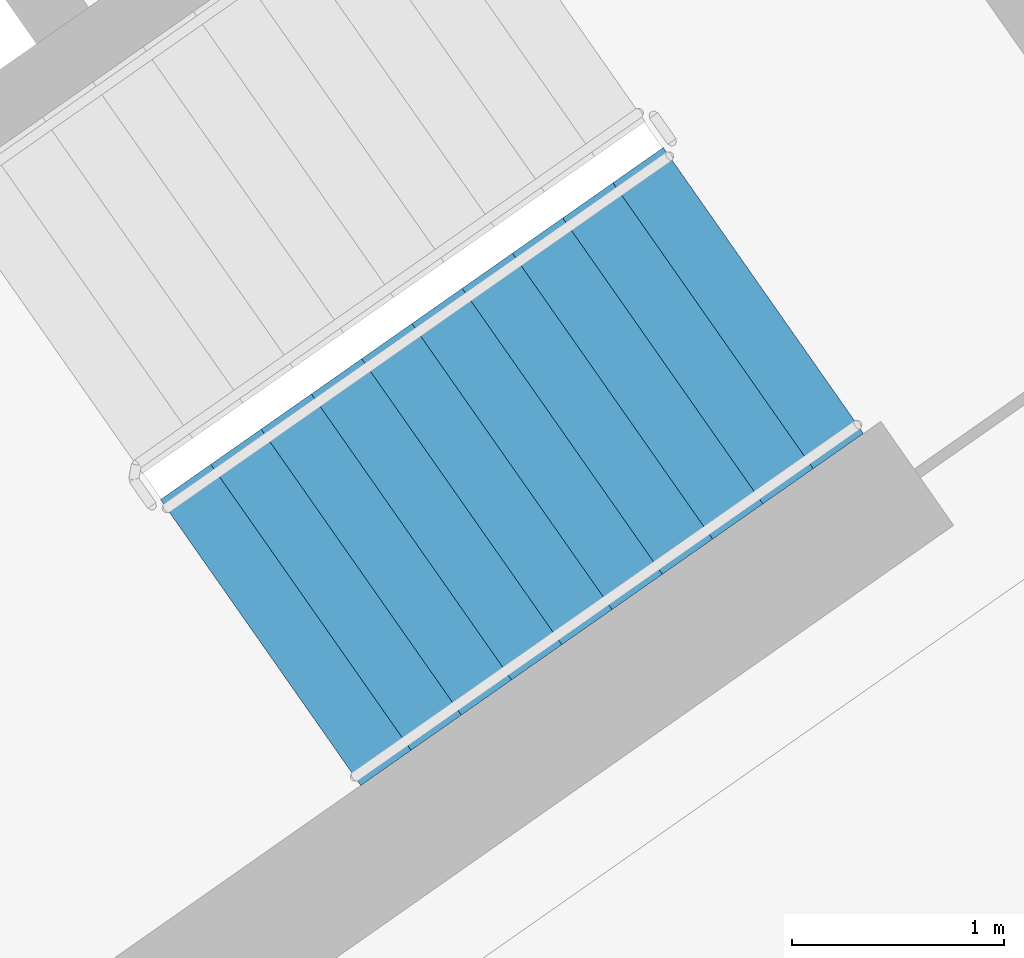
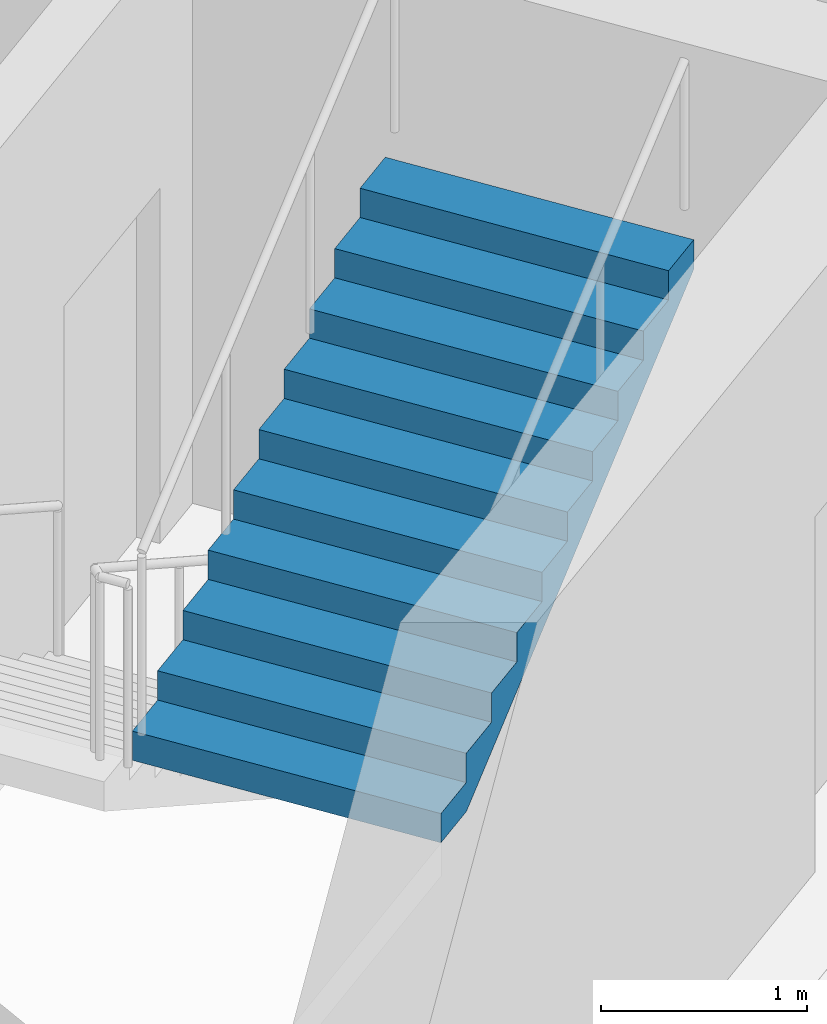
# One storey, part 16 of 28: 1 stair flight, 1 element without a shape of its own.
"""IFC4 building model written with IfcOpenShell, lengths in metres."""

from ifc_helpers import new_model, si_unit, direction, frame, origin, place, context, subcontext, project, spatial, faceted_brep, material, type_object, element, aggregate, save


model = new_model("IFC4")

# Units and contexts
model_context = context("Model", 3, precision=1e-05, world=origin(), true_north=direction((0.0, 1.0)))
body_context = subcontext(model_context, "Body", "Model", "MODEL_VIEW")
ifc_project = project(units=[si_unit("LENGTHUNIT", "METRE"), si_unit("AREAUNIT", "SQUARE_METRE"), si_unit("VOLUMEUNIT", "CUBIC_METRE"), si_unit("PLANEANGLEUNIT", "RADIAN"), si_unit("MASSUNIT", "GRAM", prefix="KILO")], contexts=[model_context])

# Site, building, storey
site_placement = place(None, origin())
site = spatial("IfcSite", under=ifc_project, at=site_placement, CompositionType="ELEMENT")
building_placement = place(site_placement, origin())
building = spatial("IfcBuilding", under=site, at=building_placement, Name="Qamariyya Broadcast Tower", CompositionType="ELEMENT")
storey_placement = place(building_placement, frame((0.0, 0.0, 245.5)))
storey = spatial("IfcBuildingStorey", under=building, at=storey_placement, Name="L59", CompositionType="ELEMENT", Elevation=245.5)

# Stair, stair flight
ifc_material = material(Name="Concrete C50/60", Category="concrete")
stair_type = type_object("IfcStairType", Name="Exit stair 22 risers of 173 mm", PredefinedType="HALF_TURN_STAIR", material=ifc_material)
stair_placement = place(storey_placement, origin())
stair = element("IfcStair", 1, at=stair_placement, inside=storey, type_object=stair_type, Name="L59 Stair E1", PredefinedType="HALF_TURN_STAIR")
stair_flight_type = type_object("IfcStairFlightType", Name="Exit stair flight 11 risers of 173 mm", PredefinedType="STRAIGHT", material=ifc_material)
stair_flight_placement = place(storey_placement, frame((44.693359375, -58.64599609375, 1.89990234375), z_axis=(0.0, 0.0, 1.0), x_axis=(0.819152044289, 0.573576436351, 0.0)))
stair_flight = element("IfcStairFlight", 2, at=stair_flight_placement, type_object=stair_flight_type, Name="ST-E1 flight 2", NumberOfRisers=11, NumberOfTreads=10, PredefinedType="STRAIGHT", RiserHeight=0.172727273, TreadLength=0.29, context=body_context, shape_type="Brep", body=[
    faceted_brep([(0.0, 0.824951171875, 0.0), (0.0, 0.824951171875, 0.172607421875), (0.2900390625, 0.824951171875, 0.172607421875), (0.2900390625, 0.824951171875, 0.345458984375), (0.580078125, 0.824951171875, 0.345458984375), (0.580078125, 0.824951171875, 0.51806640625), (0.8701171875, 0.824951171875, 0.51806640625), (0.8701171875, 0.824951171875, 0.69091796875), (1.159912109375, 0.824951171875, 0.69091796875), (1.159912109375, 0.824951171875, 0.863525390625), (1.449951171875, 0.824951171875, 0.863525390625), (1.449951171875, 0.824951171875, 1.036376953125), (1.739990234375, 0.824951171875, 1.036376953125), (1.739990234375, 0.824951171875, 1.208984375), (2.030029296875, 0.824951171875, 1.208984375), (2.030029296875, 0.824951171875, 1.3818359375), (2.320068359375, 0.824951171875, 1.3818359375), (2.320068359375, 0.824951171875, 1.554443359375), (2.610107421875, 0.824951171875, 1.554443359375), (2.610107421875, 0.824951171875, 1.727294921875), (2.89990234375, 0.824951171875, 1.727294921875), (2.89990234375, 0.824951171875, 1.552734375), (0.29296875, 0.824951171875, 0.0), (0.29296875, -0.824951171875, 0.0), (2.89990234375, -0.824951171875, 1.552734375), (2.89990234375, -0.824951171875, 1.727294921875), (2.610107421875, -0.824951171875, 1.727294921875), (2.610107421875, -0.824951171875, 1.554443359375), (2.320068359375, -0.824951171875, 1.554443359375), (2.320068359375, -0.824951171875, 1.3818359375), (2.030029296875, -0.824951171875, 1.3818359375), (2.030029296875, -0.824951171875, 1.208984375), (1.739990234375, -0.824951171875, 1.208984375), (1.739990234375, -0.824951171875, 1.036376953125), (1.449951171875, -0.824951171875, 1.036376953125), (1.449951171875, -0.824951171875, 0.863525390625), (1.159912109375, -0.824951171875, 0.863525390625), (1.159912109375, -0.824951171875, 0.69091796875), (0.8701171875, -0.824951171875, 0.69091796875), (0.8701171875, -0.824951171875, 0.51806640625), (0.580078125, -0.824951171875, 0.51806640625), (0.580078125, -0.824951171875, 0.345458984375), (0.2900390625, -0.824951171875, 0.345458984375), (0.2900390625, -0.824951171875, 0.172607421875), (0.0, -0.824951171875, 0.172607421875), (0.0, -0.824951171875, 0.0), (0.0, 0.10009765625, 0.0), (0.0, 0.086669921875, 0.0), (0.0, 0.0732421875, 0.0), (0.0, 0.06005859375, 0.0), (0.0, 0.046630859375, 0.0), (0.0, 0.033447265625, 0.0), (0.0, 0.02001953125, 0.0), (0.0, 0.006591796875, 0.0), (0.0, -0.006591796875, 0.0), (0.0, -0.02001953125, 0.0), (0.0, -0.033447265625, 0.0), (0.0, -0.046630859375, 0.0), (0.0, -0.06005859375, 0.0), (0.0, -0.0732421875, 0.0), (0.0, -0.086669921875, 0.0), (0.0, -0.10009765625, 0.0), (0.0, -0.10009765625, 0.172607421875), (0.0, -0.086669921875, 0.172607421875), (0.0, -0.0732421875, 0.172607421875), (0.0, -0.06005859375, 0.172607421875), (0.0, -0.046630859375, 0.172607421875), (0.0, -0.033447265625, 0.172607421875), (0.0, -0.02001953125, 0.172607421875), (0.0, -0.006591796875, 0.172607421875), (0.0, 0.006591796875, 0.172607421875), (0.0, 0.02001953125, 0.172607421875), (0.0, 0.033447265625, 0.172607421875), (0.0, 0.046630859375, 0.172607421875), (0.0, 0.06005859375, 0.172607421875), (0.0, 0.0732421875, 0.172607421875), (0.0, 0.086669921875, 0.172607421875), (0.0, 0.10009765625, 0.172607421875), (0.2900390625, -0.10009765625, 0.172607421875), (0.2900390625, -0.086669921875, 0.172607421875), (0.2900390625, -0.0732421875, 0.172607421875), (0.2900390625, -0.06005859375, 0.172607421875), (0.2900390625, -0.046630859375, 0.172607421875), (0.2900390625, -0.033447265625, 0.172607421875), (0.2900390625, -0.02001953125, 0.172607421875), (0.2900390625, -0.006591796875, 0.172607421875), (0.2900390625, 0.006591796875, 0.172607421875), (0.2900390625, 0.02001953125, 0.172607421875), (0.2900390625, 0.033447265625, 0.172607421875), (0.2900390625, 0.046630859375, 0.172607421875), (0.2900390625, 0.06005859375, 0.172607421875), (0.2900390625, 0.0732421875, 0.172607421875), (0.2900390625, 0.086669921875, 0.172607421875), (0.2900390625, 0.10009765625, 0.172607421875), (0.2900390625, -0.10009765625, 0.345458984375), (0.2900390625, -0.086669921875, 0.345458984375), (0.2900390625, -0.0732421875, 0.345458984375), (0.2900390625, -0.06005859375, 0.345458984375), (0.2900390625, -0.046630859375, 0.345458984375), (0.2900390625, -0.033447265625, 0.345458984375), (0.2900390625, -0.02001953125, 0.345458984375), (0.2900390625, -0.006591796875, 0.345458984375), (0.2900390625, 0.006591796875, 0.345458984375), (0.2900390625, 0.02001953125, 0.345458984375), (0.2900390625, 0.033447265625, 0.345458984375), (0.2900390625, 0.046630859375, 0.345458984375), (0.2900390625, 0.06005859375, 0.345458984375), (0.2900390625, 0.0732421875, 0.345458984375), (0.2900390625, 0.086669921875, 0.345458984375), (0.2900390625, 0.10009765625, 0.345458984375), (0.580078125, -0.10009765625, 0.345458984375), (0.580078125, -0.086669921875, 0.345458984375), (0.580078125, -0.0732421875, 0.345458984375), (0.580078125, -0.06005859375, 0.345458984375), (0.580078125, -0.046630859375, 0.345458984375), (0.580078125, -0.033447265625, 0.345458984375), (0.580078125, -0.02001953125, 0.345458984375), (0.580078125, -0.006591796875, 0.345458984375), (0.580078125, 0.006591796875, 0.345458984375), (0.580078125, 0.02001953125, 0.345458984375), (0.580078125, 0.033447265625, 0.345458984375), (0.580078125, 0.046630859375, 0.345458984375), (0.580078125, 0.06005859375, 0.345458984375), (0.580078125, 0.0732421875, 0.345458984375), (0.580078125, 0.086669921875, 0.345458984375), (0.580078125, 0.10009765625, 0.345458984375), (0.580078125, -0.10009765625, 0.51806640625), (0.580078125, -0.086669921875, 0.51806640625), (0.580078125, -0.0732421875, 0.51806640625), (0.580078125, -0.06005859375, 0.51806640625), (0.580078125, -0.046630859375, 0.51806640625), (0.580078125, -0.033447265625, 0.51806640625), (0.580078125, -0.02001953125, 0.51806640625), (0.580078125, -0.006591796875, 0.51806640625), (0.580078125, 0.006591796875, 0.51806640625), (0.580078125, 0.02001953125, 0.51806640625), (0.580078125, 0.033447265625, 0.51806640625), (0.580078125, 0.046630859375, 0.51806640625), (0.580078125, 0.06005859375, 0.51806640625), (0.580078125, 0.0732421875, 0.51806640625), (0.580078125, 0.086669921875, 0.51806640625), (0.580078125, 0.10009765625, 0.51806640625), (0.8701171875, -0.10009765625, 0.51806640625), (0.8701171875, -0.086669921875, 0.51806640625), (0.8701171875, -0.0732421875, 0.51806640625), (0.8701171875, -0.06005859375, 0.51806640625), (0.8701171875, -0.046630859375, 0.51806640625), (0.8701171875, -0.033447265625, 0.51806640625), (0.8701171875, -0.02001953125, 0.51806640625), (0.8701171875, -0.006591796875, 0.51806640625), (0.8701171875, 0.006591796875, 0.51806640625), (0.8701171875, 0.02001953125, 0.51806640625), (0.8701171875, 0.033447265625, 0.51806640625), (0.8701171875, 0.046630859375, 0.51806640625), (0.8701171875, 0.06005859375, 0.51806640625), (0.8701171875, 0.0732421875, 0.51806640625), (0.8701171875, 0.086669921875, 0.51806640625), (0.8701171875, 0.10009765625, 0.51806640625), (0.8701171875, -0.10009765625, 0.69091796875), (0.8701171875, -0.086669921875, 0.69091796875), (0.8701171875, -0.0732421875, 0.69091796875), (0.8701171875, -0.06005859375, 0.69091796875), (0.8701171875, -0.046630859375, 0.69091796875), (0.8701171875, -0.033447265625, 0.69091796875), (0.8701171875, -0.02001953125, 0.69091796875), (0.8701171875, -0.006591796875, 0.69091796875), (0.8701171875, 0.006591796875, 0.69091796875), (0.8701171875, 0.02001953125, 0.69091796875), (0.8701171875, 0.033447265625, 0.69091796875), (0.8701171875, 0.046630859375, 0.69091796875), (0.8701171875, 0.06005859375, 0.69091796875), (0.8701171875, 0.0732421875, 0.69091796875), (0.8701171875, 0.086669921875, 0.69091796875), (0.8701171875, 0.10009765625, 0.69091796875), (1.159912109375, -0.10009765625, 0.69091796875), (1.159912109375, -0.086669921875, 0.69091796875), (1.159912109375, -0.0732421875, 0.69091796875), (1.159912109375, -0.06005859375, 0.69091796875), (1.159912109375, -0.046630859375, 0.69091796875), (1.159912109375, -0.033447265625, 0.69091796875), (1.159912109375, -0.02001953125, 0.69091796875), (1.159912109375, -0.006591796875, 0.69091796875), (1.159912109375, 0.006591796875, 0.69091796875), (1.159912109375, 0.02001953125, 0.69091796875), (1.159912109375, 0.033447265625, 0.69091796875), (1.159912109375, 0.046630859375, 0.69091796875), (1.159912109375, 0.06005859375, 0.69091796875), (1.159912109375, 0.0732421875, 0.69091796875), (1.159912109375, 0.086669921875, 0.69091796875), (1.159912109375, 0.10009765625, 0.69091796875), (1.159912109375, -0.10009765625, 0.863525390625), (1.159912109375, -0.086669921875, 0.863525390625), (1.159912109375, -0.0732421875, 0.863525390625), (1.159912109375, -0.06005859375, 0.863525390625), (1.159912109375, -0.046630859375, 0.863525390625), (1.159912109375, -0.033447265625, 0.863525390625), (1.159912109375, -0.02001953125, 0.863525390625), (1.159912109375, -0.006591796875, 0.863525390625), (1.159912109375, 0.006591796875, 0.863525390625), (1.159912109375, 0.02001953125, 0.863525390625), (1.159912109375, 0.033447265625, 0.863525390625), (1.159912109375, 0.046630859375, 0.863525390625), (1.159912109375, 0.06005859375, 0.863525390625), (1.159912109375, 0.0732421875, 0.863525390625), (1.159912109375, 0.086669921875, 0.863525390625), (1.159912109375, 0.10009765625, 0.863525390625), (1.449951171875, -0.10009765625, 0.863525390625), (1.449951171875, -0.086669921875, 0.863525390625), (1.449951171875, -0.0732421875, 0.863525390625), (1.449951171875, -0.06005859375, 0.863525390625), (1.449951171875, -0.046630859375, 0.863525390625), (1.449951171875, -0.033447265625, 0.863525390625), (1.449951171875, -0.02001953125, 0.863525390625), (1.449951171875, -0.006591796875, 0.863525390625), (1.449951171875, 0.006591796875, 0.863525390625), (1.449951171875, 0.02001953125, 0.863525390625), (1.449951171875, 0.033447265625, 0.863525390625), (1.449951171875, 0.046630859375, 0.863525390625), (1.449951171875, 0.06005859375, 0.863525390625), (1.449951171875, 0.0732421875, 0.863525390625), (1.449951171875, 0.086669921875, 0.863525390625), (1.449951171875, 0.10009765625, 0.863525390625), (1.449951171875, -0.10009765625, 1.036376953125), (1.449951171875, -0.086669921875, 1.036376953125), (1.449951171875, -0.0732421875, 1.036376953125), (1.449951171875, -0.06005859375, 1.036376953125), (1.449951171875, -0.046630859375, 1.036376953125), (1.449951171875, -0.033447265625, 1.036376953125), (1.449951171875, -0.02001953125, 1.036376953125), (1.449951171875, -0.006591796875, 1.036376953125), (1.449951171875, 0.006591796875, 1.036376953125), (1.449951171875, 0.02001953125, 1.036376953125), (1.449951171875, 0.033447265625, 1.036376953125), (1.449951171875, 0.046630859375, 1.036376953125), (1.449951171875, 0.06005859375, 1.036376953125), (1.449951171875, 0.0732421875, 1.036376953125), (1.449951171875, 0.086669921875, 1.036376953125), (1.449951171875, 0.10009765625, 1.036376953125), (1.739990234375, -0.10009765625, 1.036376953125), (1.739990234375, -0.086669921875, 1.036376953125), (1.739990234375, -0.0732421875, 1.036376953125), (1.739990234375, -0.06005859375, 1.036376953125), (1.739990234375, -0.046630859375, 1.036376953125), (1.739990234375, -0.033447265625, 1.036376953125), (1.739990234375, -0.02001953125, 1.036376953125), (1.739990234375, -0.006591796875, 1.036376953125), (1.739990234375, 0.006591796875, 1.036376953125), (1.739990234375, 0.02001953125, 1.036376953125), (1.739990234375, 0.033447265625, 1.036376953125), (1.739990234375, 0.046630859375, 1.036376953125), (1.739990234375, 0.06005859375, 1.036376953125), (1.739990234375, 0.0732421875, 1.036376953125), (1.739990234375, 0.086669921875, 1.036376953125), (1.739990234375, 0.10009765625, 1.036376953125), (1.739990234375, -0.10009765625, 1.208984375), (1.739990234375, -0.086669921875, 1.208984375), (1.739990234375, -0.0732421875, 1.208984375), (1.739990234375, -0.06005859375, 1.208984375), (1.739990234375, -0.046630859375, 1.208984375), (1.739990234375, -0.033447265625, 1.208984375), (1.739990234375, -0.02001953125, 1.208984375), (1.739990234375, -0.006591796875, 1.208984375), (1.739990234375, 0.006591796875, 1.208984375), (1.739990234375, 0.02001953125, 1.208984375), (1.739990234375, 0.033447265625, 1.208984375), (1.739990234375, 0.046630859375, 1.208984375), (1.739990234375, 0.06005859375, 1.208984375), (1.739990234375, 0.0732421875, 1.208984375), (1.739990234375, 0.086669921875, 1.208984375), (1.739990234375, 0.10009765625, 1.208984375), (2.030029296875, -0.10009765625, 1.208984375), (2.030029296875, -0.086669921875, 1.208984375), (2.030029296875, -0.0732421875, 1.208984375), (2.030029296875, -0.06005859375, 1.208984375), (2.030029296875, -0.046630859375, 1.208984375), (2.030029296875, -0.033447265625, 1.208984375), (2.030029296875, -0.02001953125, 1.208984375), (2.030029296875, -0.006591796875, 1.208984375), (2.030029296875, 0.006591796875, 1.208984375), (2.030029296875, 0.02001953125, 1.208984375), (2.030029296875, 0.033447265625, 1.208984375), (2.030029296875, 0.046630859375, 1.208984375), (2.030029296875, 0.06005859375, 1.208984375), (2.030029296875, 0.0732421875, 1.208984375), (2.030029296875, 0.086669921875, 1.208984375), (2.030029296875, 0.10009765625, 1.208984375), (2.030029296875, -0.10009765625, 1.3818359375), (2.030029296875, -0.086669921875, 1.3818359375), (2.030029296875, -0.0732421875, 1.3818359375), (2.030029296875, -0.06005859375, 1.3818359375), (2.030029296875, -0.046630859375, 1.3818359375), (2.030029296875, -0.033447265625, 1.3818359375), (2.030029296875, -0.02001953125, 1.3818359375), (2.030029296875, -0.006591796875, 1.3818359375), (2.030029296875, 0.006591796875, 1.3818359375), (2.030029296875, 0.02001953125, 1.3818359375), (2.030029296875, 0.033447265625, 1.3818359375), (2.030029296875, 0.046630859375, 1.3818359375), (2.030029296875, 0.06005859375, 1.3818359375), (2.030029296875, 0.0732421875, 1.3818359375), (2.030029296875, 0.086669921875, 1.3818359375), (2.030029296875, 0.10009765625, 1.3818359375), (2.320068359375, -0.10009765625, 1.3818359375), (2.320068359375, -0.086669921875, 1.3818359375), (2.320068359375, -0.0732421875, 1.3818359375), (2.320068359375, -0.06005859375, 1.3818359375), (2.320068359375, -0.046630859375, 1.3818359375), (2.320068359375, -0.033447265625, 1.3818359375), (2.320068359375, -0.02001953125, 1.3818359375), (2.320068359375, -0.006591796875, 1.3818359375), (2.320068359375, 0.006591796875, 1.3818359375), (2.320068359375, 0.02001953125, 1.3818359375), (2.320068359375, 0.033447265625, 1.3818359375), (2.320068359375, 0.046630859375, 1.3818359375), (2.320068359375, 0.06005859375, 1.3818359375), (2.320068359375, 0.0732421875, 1.3818359375), (2.320068359375, 0.086669921875, 1.3818359375), (2.320068359375, 0.10009765625, 1.3818359375), (2.320068359375, -0.10009765625, 1.554443359375), (2.320068359375, -0.086669921875, 1.554443359375), (2.320068359375, -0.0732421875, 1.554443359375), (2.320068359375, -0.06005859375, 1.554443359375), (2.320068359375, -0.046630859375, 1.554443359375), (2.320068359375, -0.033447265625, 1.554443359375), (2.320068359375, -0.02001953125, 1.554443359375), (2.320068359375, -0.006591796875, 1.554443359375), (2.320068359375, 0.006591796875, 1.554443359375), (2.320068359375, 0.02001953125, 1.554443359375), (2.320068359375, 0.033447265625, 1.554443359375), (2.320068359375, 0.046630859375, 1.554443359375), (2.320068359375, 0.06005859375, 1.554443359375), (2.320068359375, 0.0732421875, 1.554443359375), (2.320068359375, 0.086669921875, 1.554443359375), (2.320068359375, 0.10009765625, 1.554443359375), (2.610107421875, -0.10009765625, 1.554443359375), (2.610107421875, -0.086669921875, 1.554443359375), (2.610107421875, -0.0732421875, 1.554443359375), (2.610107421875, -0.06005859375, 1.554443359375), (2.610107421875, -0.046630859375, 1.554443359375), (2.610107421875, -0.033447265625, 1.554443359375), (2.610107421875, -0.02001953125, 1.554443359375), (2.610107421875, -0.006591796875, 1.554443359375), (2.610107421875, 0.006591796875, 1.554443359375), (2.610107421875, 0.02001953125, 1.554443359375), (2.610107421875, 0.033447265625, 1.554443359375), (2.610107421875, 0.046630859375, 1.554443359375), (2.610107421875, 0.06005859375, 1.554443359375), (2.610107421875, 0.0732421875, 1.554443359375), (2.610107421875, 0.086669921875, 1.554443359375), (2.610107421875, 0.10009765625, 1.554443359375), (2.610107421875, -0.10009765625, 1.727294921875), (2.610107421875, -0.086669921875, 1.727294921875), (2.610107421875, -0.0732421875, 1.727294921875), (2.610107421875, -0.06005859375, 1.727294921875), (2.610107421875, -0.046630859375, 1.727294921875), (2.610107421875, -0.033447265625, 1.727294921875), (2.610107421875, -0.02001953125, 1.727294921875), (2.610107421875, -0.006591796875, 1.727294921875), (2.610107421875, 0.006591796875, 1.727294921875), (2.610107421875, 0.02001953125, 1.727294921875), (2.610107421875, 0.033447265625, 1.727294921875), (2.610107421875, 0.046630859375, 1.727294921875), (2.610107421875, 0.06005859375, 1.727294921875), (2.610107421875, 0.0732421875, 1.727294921875), (2.610107421875, 0.086669921875, 1.727294921875), (2.610107421875, 0.10009765625, 1.727294921875), (2.89990234375, -0.10009765625, 1.727294921875), (2.89990234375, -0.086669921875, 1.727294921875), (2.89990234375, -0.0732421875, 1.727294921875), (2.89990234375, -0.06005859375, 1.727294921875), (2.89990234375, -0.046630859375, 1.727294921875), (2.89990234375, -0.033447265625, 1.727294921875), (2.89990234375, -0.02001953125, 1.727294921875), (2.89990234375, -0.006591796875, 1.727294921875), (2.89990234375, 0.006591796875, 1.727294921875), (2.89990234375, 0.02001953125, 1.727294921875), (2.89990234375, 0.033447265625, 1.727294921875), (2.89990234375, 0.046630859375, 1.727294921875), (2.89990234375, 0.06005859375, 1.727294921875), (2.89990234375, 0.0732421875, 1.727294921875), (2.89990234375, 0.086669921875, 1.727294921875), (2.89990234375, 0.10009765625, 1.727294921875), (2.89990234375, -0.10009765625, 1.552734375), (2.89990234375, -0.086669921875, 1.552734375), (2.89990234375, -0.0732421875, 1.552734375), (2.89990234375, -0.06005859375, 1.552734375), (2.89990234375, -0.046630859375, 1.552734375), (2.89990234375, -0.033447265625, 1.552734375), (2.89990234375, -0.02001953125, 1.552734375), (2.89990234375, -0.006591796875, 1.552734375), (2.89990234375, 0.006591796875, 1.552734375), (2.89990234375, 0.02001953125, 1.552734375), (2.89990234375, 0.033447265625, 1.552734375), (2.89990234375, 0.046630859375, 1.552734375), (2.89990234375, 0.06005859375, 1.552734375), (2.89990234375, 0.0732421875, 1.552734375), (2.89990234375, 0.086669921875, 1.552734375), (2.89990234375, 0.10009765625, 1.552734375), (0.29296875, -0.10009765625, 0.0), (0.29296875, -0.086669921875, 0.0), (0.29296875, -0.0732421875, 0.0), (0.29296875, -0.06005859375, 0.0), (0.29296875, -0.046630859375, 0.0), (0.29296875, -0.033447265625, 0.0), (0.29296875, -0.02001953125, 0.0), (0.29296875, -0.006591796875, 0.0), (0.29296875, 0.006591796875, 0.0), (0.29296875, 0.02001953125, 0.0), (0.29296875, 0.033447265625, 0.0), (0.29296875, 0.046630859375, 0.0), (0.29296875, 0.06005859375, 0.0), (0.29296875, 0.0732421875, 0.0), (0.29296875, 0.086669921875, 0.0), (0.29296875, 0.10009765625, 0.0)], [[[0, 1, 2, 3, 4, 5, 6, 7, 8, 9, 10, 11, 12, 13, 14, 15, 16, 17, 18, 19, 20, 21, 22]], [[23, 24, 25, 26, 27, 28, 29, 30, 31, 32, 33, 34, 35, 36, 37, 38, 39, 40, 41, 42, 43, 44, 45]], [[0, 46, 47, 48, 49, 50, 51, 52, 53, 54, 55, 56, 57, 58, 59, 60, 61, 45, 44, 62, 63, 64, 65, 66, 67, 68, 69, 70, 71, 72, 73, 74, 75, 76, 77, 1]], [[1, 77, 76, 75, 74, 73, 72, 71, 70, 69, 68, 67, 66, 65, 64, 63, 62, 44, 43, 78, 79, 80, 81, 82, 83, 84, 85, 86, 87, 88, 89, 90, 91, 92, 93, 2]], [[2, 93, 92, 91, 90, 89, 88, 87, 86, 85, 84, 83, 82, 81, 80, 79, 78, 43, 42, 94, 95, 96, 97, 98, 99, 100, 101, 102, 103, 104, 105, 106, 107, 108, 109, 3]], [[3, 109, 108, 107, 106, 105, 104, 103, 102, 101, 100, 99, 98, 97, 96, 95, 94, 42, 41, 110, 111, 112, 113, 114, 115, 116, 117, 118, 119, 120, 121, 122, 123, 124, 125, 4]], [[4, 125, 124, 123, 122, 121, 120, 119, 118, 117, 116, 115, 114, 113, 112, 111, 110, 41, 40, 126, 127, 128, 129, 130, 131, 132, 133, 134, 135, 136, 137, 138, 139, 140, 141, 5]], [[5, 141, 140, 139, 138, 137, 136, 135, 134, 133, 132, 131, 130, 129, 128, 127, 126, 40, 39, 142, 143, 144, 145, 146, 147, 148, 149, 150, 151, 152, 153, 154, 155, 156, 157, 6]], [[6, 157, 156, 155, 154, 153, 152, 151, 150, 149, 148, 147, 146, 145, 144, 143, 142, 39, 38, 158, 159, 160, 161, 162, 163, 164, 165, 166, 167, 168, 169, 170, 171, 172, 173, 7]], [[7, 173, 172, 171, 170, 169, 168, 167, 166, 165, 164, 163, 162, 161, 160, 159, 158, 38, 37, 174, 175, 176, 177, 178, 179, 180, 181, 182, 183, 184, 185, 186, 187, 188, 189, 8]], [[8, 189, 188, 187, 186, 185, 184, 183, 182, 181, 180, 179, 178, 177, 176, 175, 174, 37, 36, 190, 191, 192, 193, 194, 195, 196, 197, 198, 199, 200, 201, 202, 203, 204, 205, 9]], [[9, 205, 204, 203, 202, 201, 200, 199, 198, 197, 196, 195, 194, 193, 192, 191, 190, 36, 35, 206, 207, 208, 209, 210, 211, 212, 213, 214, 215, 216, 217, 218, 219, 220, 221, 10]], [[10, 221, 220, 219, 218, 217, 216, 215, 214, 213, 212, 211, 210, 209, 208, 207, 206, 35, 34, 222, 223, 224, 225, 226, 227, 228, 229, 230, 231, 232, 233, 234, 235, 236, 237, 11]], [[11, 237, 236, 235, 234, 233, 232, 231, 230, 229, 228, 227, 226, 225, 224, 223, 222, 34, 33, 238, 239, 240, 241, 242, 243, 244, 245, 246, 247, 248, 249, 250, 251, 252, 253, 12]], [[12, 253, 252, 251, 250, 249, 248, 247, 246, 245, 244, 243, 242, 241, 240, 239, 238, 33, 32, 254, 255, 256, 257, 258, 259, 260, 261, 262, 263, 264, 265, 266, 267, 268, 269, 13]], [[13, 269, 268, 267, 266, 265, 264, 263, 262, 261, 260, 259, 258, 257, 256, 255, 254, 32, 31, 270, 271, 272, 273, 274, 275, 276, 277, 278, 279, 280, 281, 282, 283, 284, 285, 14]], [[14, 285, 284, 283, 282, 281, 280, 279, 278, 277, 276, 275, 274, 273, 272, 271, 270, 31, 30, 286, 287, 288, 289, 290, 291, 292, 293, 294, 295, 296, 297, 298, 299, 300, 301, 15]], [[15, 301, 300, 299, 298, 297, 296, 295, 294, 293, 292, 291, 290, 289, 288, 287, 286, 30, 29, 302, 303, 304, 305, 306, 307, 308, 309, 310, 311, 312, 313, 314, 315, 316, 317, 16]], [[16, 317, 316, 315, 314, 313, 312, 311, 310, 309, 308, 307, 306, 305, 304, 303, 302, 29, 28, 318, 319, 320, 321, 322, 323, 324, 325, 326, 327, 328, 329, 330, 331, 332, 333, 17]], [[17, 333, 332, 331, 330, 329, 328, 327, 326, 325, 324, 323, 322, 321, 320, 319, 318, 28, 27, 334, 335, 336, 337, 338, 339, 340, 341, 342, 343, 344, 345, 346, 347, 348, 349, 18]], [[18, 349, 348, 347, 346, 345, 344, 343, 342, 341, 340, 339, 338, 337, 336, 335, 334, 27, 26, 350, 351, 352, 353, 354, 355, 356, 357, 358, 359, 360, 361, 362, 363, 364, 365, 19]], [[19, 365, 364, 363, 362, 361, 360, 359, 358, 357, 356, 355, 354, 353, 352, 351, 350, 26, 25, 366, 367, 368, 369, 370, 371, 372, 373, 374, 375, 376, 377, 378, 379, 380, 381, 20]], [[20, 381, 380, 379, 378, 377, 376, 375, 374, 373, 372, 371, 370, 369, 368, 367, 366, 25, 24, 382, 383, 384, 385, 386, 387, 388, 389, 390, 391, 392, 393, 394, 395, 396, 397, 21]], [[21, 397, 396, 395, 394, 393, 392, 391, 390, 389, 388, 387, 386, 385, 384, 383, 382, 24, 23, 398, 399, 400, 401, 402, 403, 404, 405, 406, 407, 408, 409, 410, 411, 412, 413, 22]], [[22, 413, 412, 411, 410, 409, 408, 407, 406, 405, 404, 403, 402, 401, 400, 399, 398, 23, 45, 61, 60, 59, 58, 57, 56, 55, 54, 53, 52, 51, 50, 49, 48, 47, 46, 0]]]),
])
aggregate(stair, [stair_flight])

save(model, "model.ifc")
